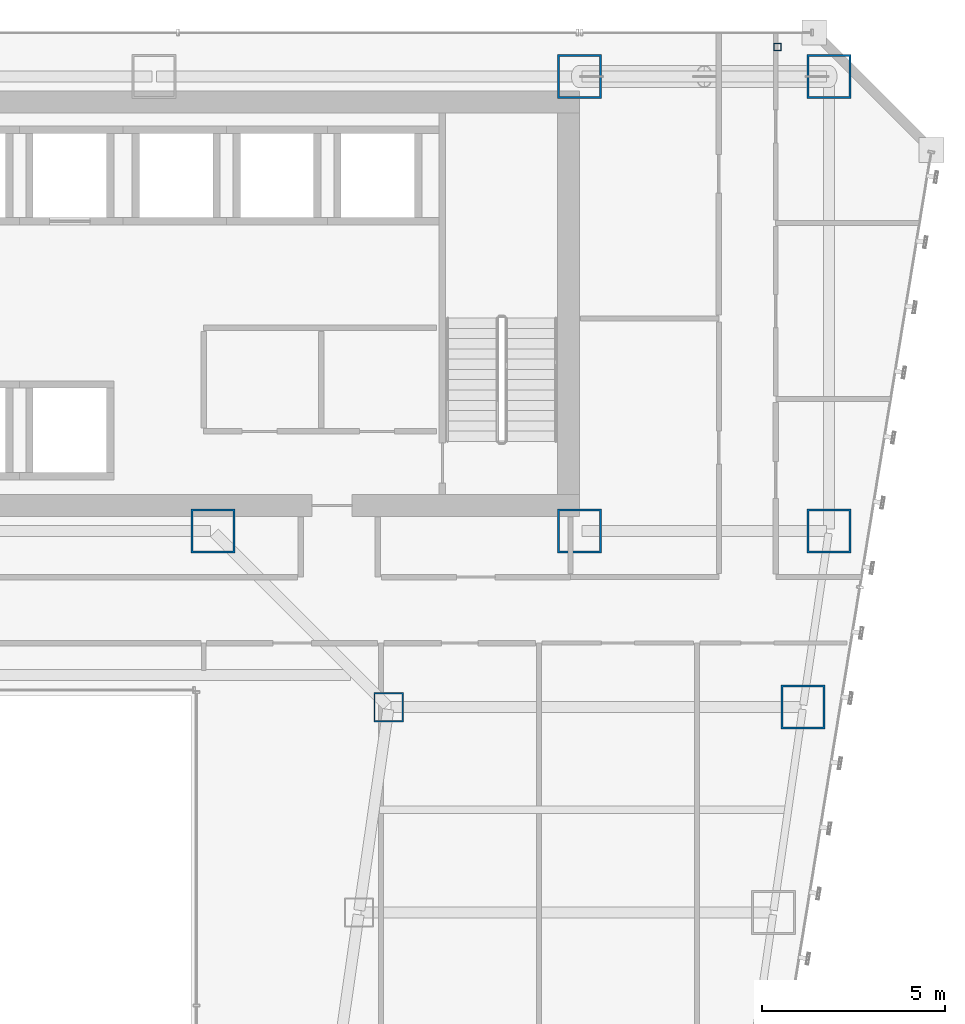
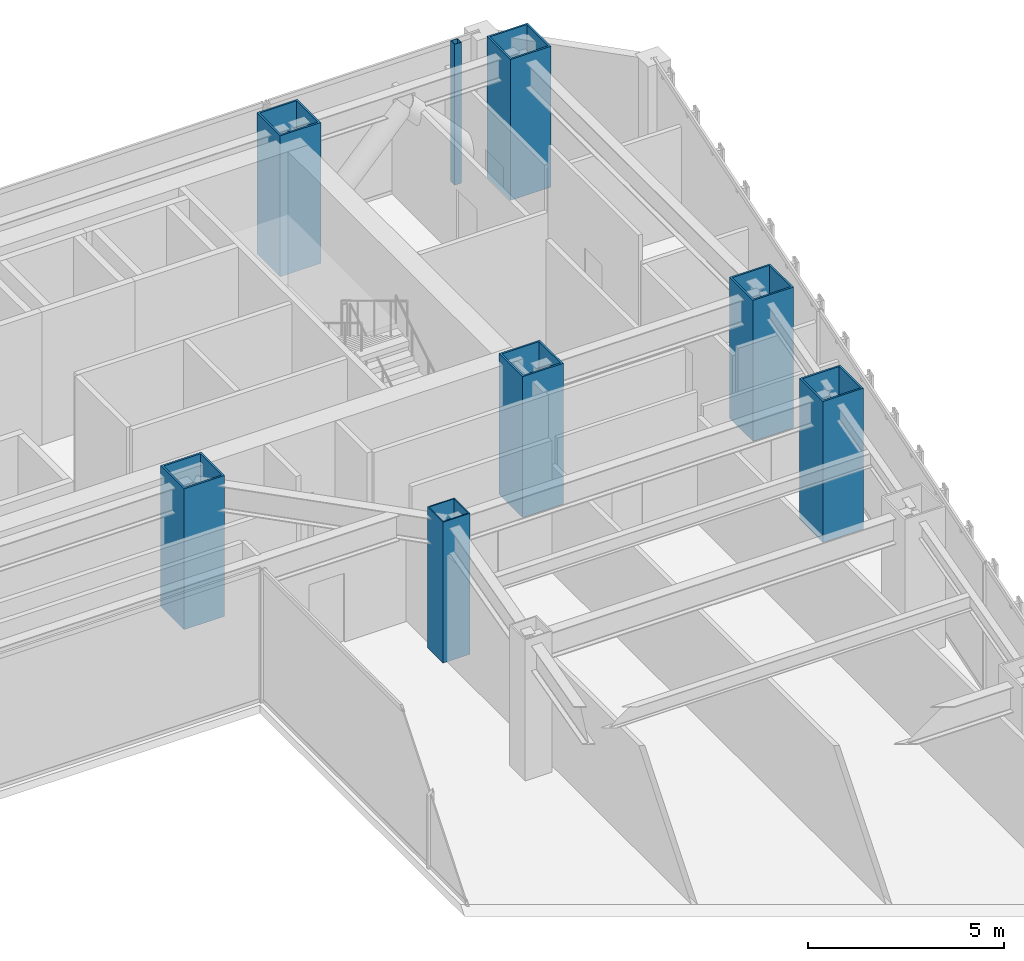
# One storey, part 3 of 47: 8 columns.
"""IFC4 building model written with IfcOpenShell, lengths in metres."""

from ifc_helpers import new_model, si_unit, direction, frame, origin, origin_2d, place, context, subcontext, project, spatial, hollow_rectangle, extrude, material, material_profile, profile_set, type_object, element, save


model = new_model("IFC4")

# Units and contexts
model_context = context("Model", 3, precision=1e-05, world=origin(), true_north=direction((0.0, 1.0)))
body_context = subcontext(model_context, "Body", "Model", "MODEL_VIEW")
ifc_project = project(units=[si_unit("LENGTHUNIT", "METRE"), si_unit("AREAUNIT", "SQUARE_METRE"), si_unit("VOLUMEUNIT", "CUBIC_METRE"), si_unit("PLANEANGLEUNIT", "RADIAN"), si_unit("MASSUNIT", "GRAM", prefix="KILO")], contexts=[model_context])

# Site, building, storey
site_placement = place(None, origin())
site = spatial("IfcSite", under=ifc_project, at=site_placement, CompositionType="ELEMENT")
building_placement = place(site_placement, origin())
building = spatial("IfcBuilding", under=site, at=building_placement, Name="Saevonmaru Cultural Tower", CompositionType="ELEMENT")
storey_placement = place(building_placement, frame((0.0, 0.0, 60.39990234375)))
storey = spatial("IfcBuildingStorey", under=building, at=storey_placement, Name="L12", CompositionType="ELEMENT", Elevation=60.39990234375)

# Columns
ifc_material_1 = material(Name="Steel HSA600 (600 MPa)", Category="steel")
ifc_material_profile_1 = material_profile(ifc_material_1, hollow_rectangle(XDim=1.199951171875, YDim=1.199951171875, WallThickness=0.054931640625, at=origin_2d()), Name="BOX-1200x1200x55")
ifc_profile_set_1 = profile_set([ifc_material_profile_1], Name="Steel HSA600 (600 MPa)")
column_type_1 = type_object("IfcColumnType", Name="COL-BOX-1200", PredefinedType="COLUMN", material=ifc_profile_set_1)
for number, where, z_axis, x_axis, name in (
    (1, (46.39990234375, 54.800048828125, 0.0), (0.0, 0.0, 1.0), (1.0, 0.0, 0.0), "L12 Column TC-N5N"),
    (2, (53.199951171875, 54.800048828125, 0.0), (0.0, 0.0, 1.0), (1.0, 0.0, 0.0), "L12 Column TC-N6N"),
    (3, (36.39990234375, 42.39990234375, 0.0), (0.0, 0.0, 1.0), (1.0, 0.0, 0.0), "L12 Column TC-S4C"),
    (4, (46.39990234375, 42.39990234375, 0.0), (0.0, 0.0, 1.0), (1.0, 0.0, 0.0), "L12 Column TC-S5C"),
    (5, (53.199951171875, 42.39990234375, 0.0), (0.0, 0.0, 1.0), (1.0, 0.0, 0.0), "L12 Column TC-S6C"),
    (6, (52.491943359375, 37.60009765625, 0.0), (0.0, 0.0, 1.0), (1.0, 0.0, 0.0), "L12 Column TC-EO-Y376"),
):
    element("IfcColumn", number, at=place(storey_placement, frame(where, z_axis=z_axis, x_axis=x_axis)), inside=storey, type_object=column_type_1, Name=name, PredefinedType="COLUMN", context=body_context, shape_type="SweptSolid", body=[
        extrude(hollow_rectangle(XDim=1.199951171875, YDim=1.199951171875, WallThickness=0.054931640625, at=origin_2d()), origin(), (0.0, 0.0, 1.0), 4.400146484375),
    ])
ifc_material_2 = material(Name="Steel SM420", Category="steel")
ifc_material_profile_2 = material_profile(ifc_material_2, hollow_rectangle(XDim=0.800048828125, YDim=0.800048828125, WallThickness=0.035888671875, at=origin_2d()), Name="BOX-800x800x36")
ifc_profile_set_2 = profile_set([ifc_material_profile_2], Name="Steel SM420")
column_type_2 = type_object("IfcColumnType", Name="COL-BOX-800", PredefinedType="COLUMN", material=ifc_profile_set_2)
column_1_placement = place(storey_placement, frame((41.19189453125, 37.60009765625, 0.0), z_axis=(0.0, 0.0, 1.0), x_axis=(1.0, 0.0, 0.0)))
element("IfcColumn", 7, at=column_1_placement, inside=storey, type_object=column_type_2, Name="L12 Column TC-EI-Y376", PredefinedType="COLUMN", context=body_context, shape_type="SweptSolid", body=[
    extrude(hollow_rectangle(XDim=0.800048828125, YDim=0.800048828125, WallThickness=0.035888671875, at=origin_2d()), origin(), (0.0, 0.0, 1.0), 4.400146484375),
])
ifc_material_3 = material(Name="Steel SM355", Category="steel")
ifc_material_profile_3 = material_profile(ifc_material_3, hollow_rectangle(XDim=0.199951171875, YDim=0.199951171875, WallThickness=0.010009765625, at=origin_2d()), Name="SHS-200x200x10")
ifc_profile_set_3 = profile_set([ifc_material_profile_3], Name="Steel SM355")
column_type_3 = type_object("IfcColumnType", Name="PIL-SHS-200", PredefinedType="PILASTER", material=ifc_profile_set_3)
column_2_placement = place(storey_placement, frame((51.800048828125, 55.60009765625, 0.0), z_axis=(0.0, 0.0, 1.0), x_axis=(1.0, 0.0, 0.0)))
element("IfcColumn", 8, at=column_2_placement, inside=storey, type_object=column_type_3, Name="L12 Art Deco Bronze-Clad Pilaster PIL-NE", PredefinedType="PILASTER", context=body_context, shape_type="SweptSolid", body=[
    extrude(hollow_rectangle(XDim=0.199951171875, YDim=0.199951171875, WallThickness=0.010009765625, at=origin_2d()), origin(), (0.0, 0.0, 1.0), 4.400146484375),
])

save(model, "model.ifc")
